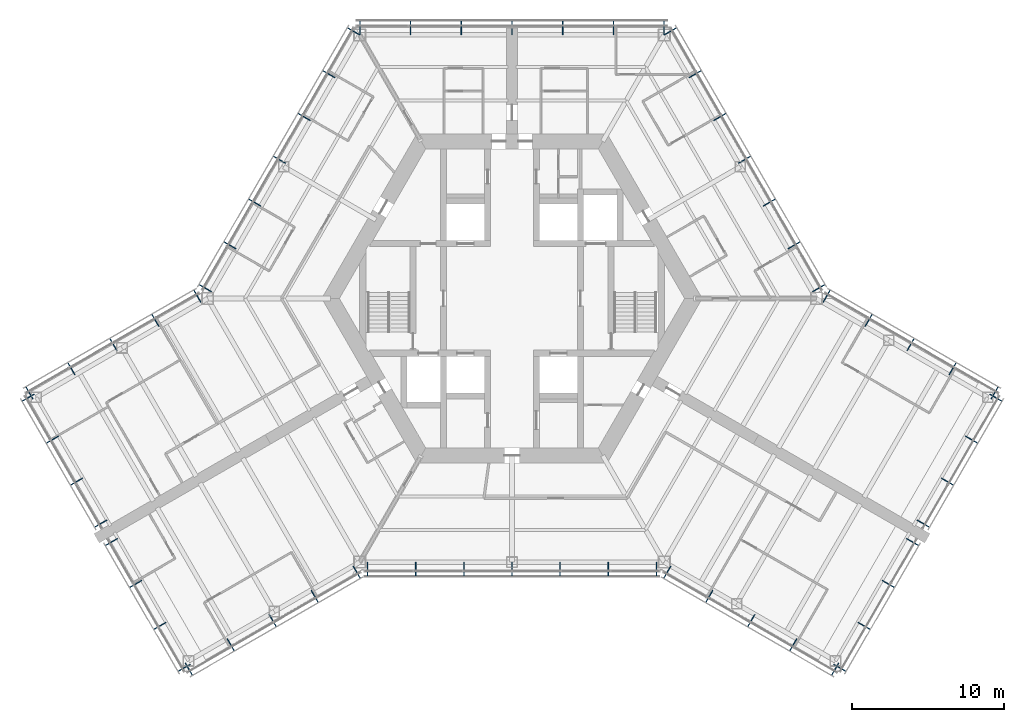
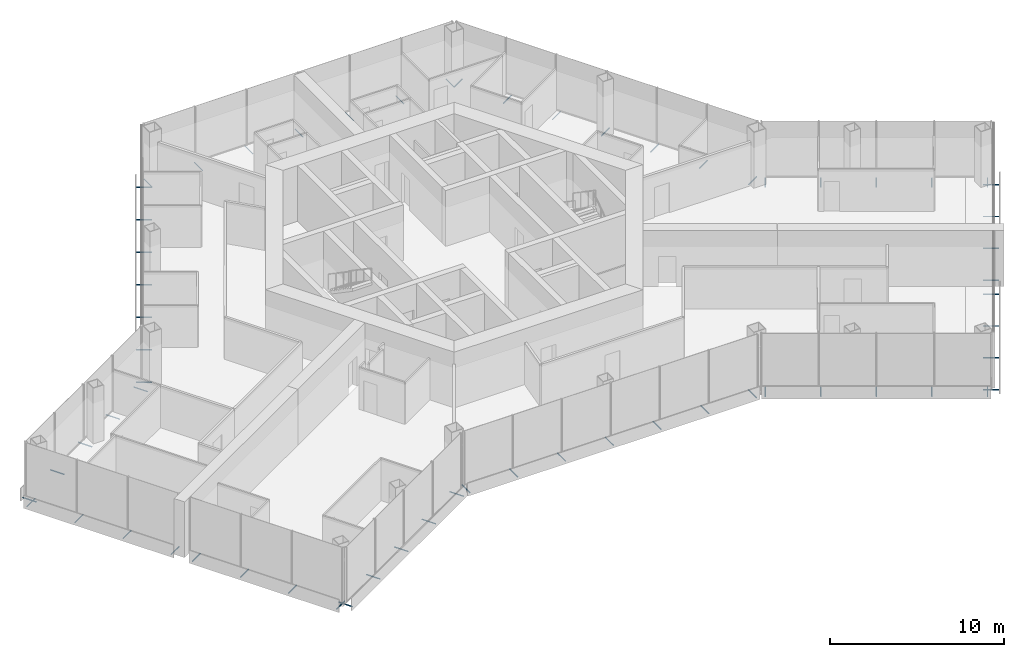
# One storey, part 16 of 18: 64 discrete accessories.
"""IFC4 building model written with IfcOpenShell, lengths in metres."""

from ifc_helpers import new_model, si_unit, direction, frame, origin, origin_2d, place, context, subcontext, project, spatial, hollow_circle, extrude, material, material_profile, profile_set, type_object, element, save


model = new_model("IFC4")

# Units and contexts
model_context = context("Model", 3, precision=1e-05, world=origin(), true_north=direction((0.0, 1.0)))
body_context = subcontext(model_context, "Body", "Model", "MODEL_VIEW")
ifc_project = project(units=[si_unit("LENGTHUNIT", "METRE"), si_unit("AREAUNIT", "SQUARE_METRE"), si_unit("VOLUMEUNIT", "CUBIC_METRE"), si_unit("PLANEANGLEUNIT", "RADIAN"), si_unit("MASSUNIT", "GRAM", prefix="KILO")], contexts=[model_context])

# Site, building, storey
site_placement = place(None, origin())
site = spatial("IfcSite", under=ifc_project, at=site_placement, CompositionType="ELEMENT")
building_placement = place(site_placement, origin())
building = spatial("IfcBuilding", under=site, at=building_placement, Name="Kasaneha Research Tower", CompositionType="ELEMENT")
storey_placement = place(building_placement, frame((0.0, 0.0, 144.800048828125)))
storey = spatial("IfcBuildingStorey", under=building, at=storey_placement, Name="L36", CompositionType="ELEMENT", Elevation=144.800048828125)

# Discrete accessories
ifc_material = material(Name="Steel STK400", Category="steel")
ifc_material_profile = material_profile(ifc_material, hollow_circle(Radius=0.0380859375, WallThickness=0.00390625, at=origin_2d()), Name="CHS-76.3x4.0")
ifc_profile_set = profile_set([ifc_material_profile], Name="Steel STK400")
discrete_accessory_type = type_object("IfcDiscreteAccessoryType", Name="Screen bracket CHS-76.3x4.0", PredefinedType="BRACKET", material=ifc_profile_set)
for number, where, z_axis, x_axis, name in (
    (1, (-9.4892578125, -17.320556640625, -0.300048828125), (0.0, -1.0, 0.0), (1.0, 0.0, 0.0), "Screen bracket 1"),
    (2, (-6.326171875, -17.320556640625, -0.300048828125), (0.0, -1.0, 0.0), (1.0, 0.0, 0.0), "Screen bracket 2"),
    (3, (-3.1630859375, -17.320556640625, -0.300048828125), (0.0, -1.0, 0.0), (1.0, 0.0, 0.0), "Screen bracket 3"),
    (4, (0.0, -17.320556640625, -0.300048828125), (0.0, -1.0, 0.0), (1.0, 0.0, 0.0), "Screen bracket 4"),
    (5, (3.1630859375, -17.320556640625, -0.300048828125), (0.0, -1.0, 0.0), (1.0, 0.0, 0.0), "Screen bracket 5"),
    (6, (6.326171875, -17.320556640625, -0.300048828125), (0.0, -1.0, 0.0), (1.0, 0.0, 0.0), "Screen bracket 6"),
    (7, (9.4892578125, -17.320556640625, -0.300048828125), (0.0, -1.0, 0.0), (1.0, 0.0, 0.0), "Screen bracket 7"),
    (8, (10.4423828125, -17.575927734375, -0.300048828125), (-0.500021113727, -0.866013213425, 0.0), (0.866013213425, -0.500021113727, 0.0), "Screen bracket 1"),
):
    element("IfcDiscreteAccessory", number, at=place(storey_placement, frame(where, z_axis=z_axis, x_axis=x_axis)), inside=storey, type_object=discrete_accessory_type, Name=name, PredefinedType="BRACKET", context=body_context, shape_type="SweptSolid", body=[
        extrude(hollow_circle(Radius=0.0380859375, WallThickness=0.00390625, at=origin_2d()), origin(), (0.0, 0.0, 1.0), 0.919921875),
    ])
discrete_accessory_1_placement = place(storey_placement, frame((13.200439453125, -19.168212890625, -0.300048828125), z_axis=(-0.499906209203, -0.866079547155, 0.0), x_axis=(0.866079547155, -0.499906209203, 0.0)))
element("IfcDiscreteAccessory", 9, at=discrete_accessory_1_placement, inside=storey, type_object=discrete_accessory_type, Name="Screen bracket 2", PredefinedType="BRACKET", context=body_context, shape_type="SweptSolid", body=[
    extrude(hollow_circle(Radius=0.0380859375, WallThickness=0.00390625, at=origin_2d()), origin(), (0.0, 0.0, 1.0), 0.920166015625),
])
discrete_accessory_2_placement = place(storey_placement, frame((15.95849609375, -20.7607421875, -0.300048828125), z_axis=(-0.500021113727, -0.866013213425, 0.0), x_axis=(0.866013213425, -0.500021113727, 0.0)))
element("IfcDiscreteAccessory", 10, at=discrete_accessory_2_placement, inside=storey, type_object=discrete_accessory_type, Name="Screen bracket 3", PredefinedType="BRACKET", context=body_context, shape_type="SweptSolid", body=[
    extrude(hollow_circle(Radius=0.0380859375, WallThickness=0.00390625, at=origin_2d()), origin(), (0.0, 0.0, 1.0), 0.919921875),
])
discrete_accessory_3_placement = place(storey_placement, frame((18.716796875, -22.35302734375, -0.300048828125), z_axis=(-0.500105201737, -0.865964657013, 0.0), x_axis=(0.865964657013, -0.500105201737, 0.0)))
element("IfcDiscreteAccessory", 11, at=discrete_accessory_3_placement, inside=storey, type_object=discrete_accessory_type, Name="Screen bracket 4", PredefinedType="BRACKET", context=body_context, shape_type="SweptSolid", body=[
    extrude(hollow_circle(Radius=0.0380859375, WallThickness=0.00390625, at=origin_2d()), origin(), (0.0, 0.0, 1.0), 0.920166015625),
])
discrete_accessory_4_placement = place(storey_placement, frame((21.474853515625, -23.945556640625, -0.300048828125), z_axis=(-0.500021113727, -0.866013213425, 0.0), x_axis=(0.866013213425, -0.500021113727, 0.0)))
element("IfcDiscreteAccessory", 12, at=discrete_accessory_4_placement, inside=storey, type_object=discrete_accessory_type, Name="Screen bracket 5", PredefinedType="BRACKET", context=body_context, shape_type="SweptSolid", body=[
    extrude(hollow_circle(Radius=0.0380859375, WallThickness=0.00390625, at=origin_2d()), origin(), (0.0, 0.0, 1.0), 0.919921875),
])
discrete_accessory_5_placement = place(storey_placement, frame((21.13330078125, -24.037109375, -0.300048828125), z_axis=(0.866079547155, -0.499906209203, 0.0), x_axis=(0.499906209203, 0.866079547155, 0.0)))
element("IfcDiscreteAccessory", 13, at=discrete_accessory_5_placement, inside=storey, type_object=discrete_accessory_type, Name="Screen bracket 1", PredefinedType="BRACKET", context=body_context, shape_type="SweptSolid", body=[
    extrude(hollow_circle(Radius=0.0380859375, WallThickness=0.00390625, at=origin_2d()), origin(), (0.0, 0.0, 1.0), 0.920166015625),
])
discrete_accessory_6_placement = place(storey_placement, frame((22.72509765625, -21.2802734375, -0.300048828125), z_axis=(0.866013213425, -0.500021113727, 0.0), x_axis=(0.500021113727, 0.866013213425, 0.0)))
element("IfcDiscreteAccessory", 14, at=discrete_accessory_6_placement, inside=storey, type_object=discrete_accessory_type, Name="Screen bracket 2", PredefinedType="BRACKET", context=body_context, shape_type="SweptSolid", body=[
    extrude(hollow_circle(Radius=0.0380859375, WallThickness=0.00390625, at=origin_2d()), origin(), (0.0, 0.0, 1.0), 0.919921875),
])
discrete_accessory_7_placement = place(storey_placement, frame((24.316650390625, -18.5234375, -0.300048828125), z_axis=(0.866079547155, -0.499906209203, 0.0), x_axis=(0.499906209203, 0.866079547155, 0.0)))
element("IfcDiscreteAccessory", 15, at=discrete_accessory_7_placement, inside=storey, type_object=discrete_accessory_type, Name="Screen bracket 3", PredefinedType="BRACKET", context=body_context, shape_type="SweptSolid", body=[
    extrude(hollow_circle(Radius=0.0380859375, WallThickness=0.00390625, at=origin_2d()), origin(), (0.0, 0.0, 1.0), 0.920166015625),
])
for number, where, z_axis, x_axis, name in (
    (16, (25.908447265625, -15.766357421875, -0.300048828125), (0.865898279276, -0.500220121494, 0.0), (0.500220121494, 0.865898279276, 0.0), "Screen bracket 4"),
    (17, (26.6083984375, -14.553955078125, -0.300048828125), (0.866013213425, -0.500021113727, 0.0), (0.500021113727, 0.866013213425, 0.0), "Screen bracket 1"),
):
    element("IfcDiscreteAccessory", number, at=place(storey_placement, frame(where, z_axis=z_axis, x_axis=x_axis)), inside=storey, type_object=discrete_accessory_type, Name=name, PredefinedType="BRACKET", context=body_context, shape_type="SweptSolid", body=[
        extrude(hollow_circle(Radius=0.0380859375, WallThickness=0.00390625, at=origin_2d()), origin(), (0.0, 0.0, 1.0), 0.919921875),
    ])
discrete_accessory_8_placement = place(storey_placement, frame((28.199951171875, -11.797119140625, -0.300048828125), z_axis=(0.866079547155, -0.499906209203, 0.0), x_axis=(0.499906209203, 0.866079547155, 0.0)))
element("IfcDiscreteAccessory", 18, at=discrete_accessory_8_placement, inside=storey, type_object=discrete_accessory_type, Name="Screen bracket 2", PredefinedType="BRACKET", context=body_context, shape_type="SweptSolid", body=[
    extrude(hollow_circle(Radius=0.0380859375, WallThickness=0.00390625, at=origin_2d()), origin(), (0.0, 0.0, 1.0), 0.920166015625),
])
discrete_accessory_9_placement = place(storey_placement, frame((29.791748046875, -9.040283203125, -0.300048828125), z_axis=(0.866013213425, -0.500021113727, 0.0), x_axis=(0.500021113727, 0.866013213425, 0.0)))
element("IfcDiscreteAccessory", 19, at=discrete_accessory_9_placement, inside=storey, type_object=discrete_accessory_type, Name="Screen bracket 3", PredefinedType="BRACKET", context=body_context, shape_type="SweptSolid", body=[
    extrude(hollow_circle(Radius=0.0380859375, WallThickness=0.00390625, at=origin_2d()), origin(), (0.0, 0.0, 1.0), 0.919921875),
])
discrete_accessory_10_placement = place(storey_placement, frame((31.38330078125, -6.283447265625, -0.300048828125), z_axis=(0.866079547155, -0.499906209203, 0.0), x_axis=(0.499906209203, 0.866079547155, 0.0)))
element("IfcDiscreteAccessory", 20, at=discrete_accessory_10_placement, inside=storey, type_object=discrete_accessory_type, Name="Screen bracket 4", PredefinedType="BRACKET", context=body_context, shape_type="SweptSolid", body=[
    extrude(hollow_circle(Radius=0.0380859375, WallThickness=0.00390625, at=origin_2d()), origin(), (0.0, 0.0, 1.0), 0.920166015625),
])
discrete_accessory_11_placement = place(storey_placement, frame((31.474853515625, -6.625, -0.300048828125), z_axis=(0.500021113727, 0.866013213425, 0.0), x_axis=(-0.866013213425, 0.500021113727, 0.0)))
element("IfcDiscreteAccessory", 21, at=discrete_accessory_11_placement, inside=storey, type_object=discrete_accessory_type, Name="Screen bracket 1", PredefinedType="BRACKET", context=body_context, shape_type="SweptSolid", body=[
    extrude(hollow_circle(Radius=0.0380859375, WallThickness=0.00390625, at=origin_2d()), origin(), (0.0, 0.0, 1.0), 0.919921875),
])
discrete_accessory_12_placement = place(storey_placement, frame((28.716796875, -5.03271484375, -0.300048828125), z_axis=(0.499906209203, 0.866079547155, 0.0), x_axis=(-0.866079547155, 0.499906209203, 0.0)))
element("IfcDiscreteAccessory", 22, at=discrete_accessory_12_placement, inside=storey, type_object=discrete_accessory_type, Name="Screen bracket 2", PredefinedType="BRACKET", context=body_context, shape_type="SweptSolid", body=[
    extrude(hollow_circle(Radius=0.0380859375, WallThickness=0.00390625, at=origin_2d()), origin(), (0.0, 0.0, 1.0), 0.920166015625),
])
discrete_accessory_13_placement = place(storey_placement, frame((25.95849609375, -3.440185546875, -0.300048828125), z_axis=(0.500220121494, 0.865898279276, 0.0), x_axis=(-0.865898279276, 0.500220121494, 0.0)))
element("IfcDiscreteAccessory", 23, at=discrete_accessory_13_placement, inside=storey, type_object=discrete_accessory_type, Name="Screen bracket 3", PredefinedType="BRACKET", context=body_context, shape_type="SweptSolid", body=[
    extrude(hollow_circle(Radius=0.0380859375, WallThickness=0.00390625, at=origin_2d()), origin(), (0.0, 0.0, 1.0), 0.919921875),
])
discrete_accessory_14_placement = place(storey_placement, frame((23.200439453125, -1.847900390625, -0.300048828125), z_axis=(0.499906209203, 0.866079547155, 0.0), x_axis=(-0.866079547155, 0.499906209203, 0.0)))
element("IfcDiscreteAccessory", 24, at=discrete_accessory_14_placement, inside=storey, type_object=discrete_accessory_type, Name="Screen bracket 4", PredefinedType="BRACKET", context=body_context, shape_type="SweptSolid", body=[
    extrude(hollow_circle(Radius=0.0380859375, WallThickness=0.00390625, at=origin_2d()), origin(), (0.0, 0.0, 1.0), 0.920166015625),
])
for number, where, z_axis, x_axis, name in (
    (25, (20.4423828125, -0.25537109375, -0.300048828125), (0.500021113727, 0.866013213425, 0.0), (-0.866013213425, 0.500021113727, 0.0), "Screen bracket 5"),
    (26, (19.74462890625, 0.4423828125, -0.300048828125), (0.866013213425, 0.500021113727, 0.0), (-0.500021113727, 0.866013213425, 0.0), "Screen bracket 1"),
    (27, (18.120849609375, 3.2548828125, -0.300048828125), (0.866013213425, 0.500021113727, 0.0), (-0.500021113727, 0.866013213425, 0.0), "Screen bracket 2"),
    (28, (16.4970703125, 6.0673828125, -0.300048828125), (0.866013213425, 0.500021113727, 0.0), (-0.500021113727, 0.866013213425, 0.0), "Screen bracket 3"),
    (29, (14.873291015625, 8.8798828125, -0.300048828125), (0.866013213425, 0.500021113727, 0.0), (-0.500021113727, 0.866013213425, 0.0), "Screen bracket 4"),
    (30, (13.24951171875, 11.6923828125, -0.300048828125), (0.866013213425, 0.500021113727, 0.0), (-0.500021113727, 0.866013213425, 0.0), "Screen bracket 5"),
):
    element("IfcDiscreteAccessory", number, at=place(storey_placement, frame(where, z_axis=z_axis, x_axis=x_axis)), inside=storey, type_object=discrete_accessory_type, Name=name, PredefinedType="BRACKET", context=body_context, shape_type="SweptSolid", body=[
        extrude(hollow_circle(Radius=0.0380859375, WallThickness=0.00390625, at=origin_2d()), origin(), (0.0, 0.0, 1.0), 0.919921875),
    ])
for number, where, z_axis, x_axis, name in (
    (31, (11.62548828125, 14.5048828125, -0.300048828125), (0.866079547155, 0.499906209203, 0.0), (-0.499906209203, 0.866079547155, 0.0), "Screen bracket 6"),
    (32, (10.001708984375, 17.3173828125, -0.300048828125), (0.866079547155, 0.499906209203, 0.0), (-0.499906209203, 0.866079547155, 0.0), "Screen bracket 7"),
):
    element("IfcDiscreteAccessory", number, at=place(storey_placement, frame(where, z_axis=z_axis, x_axis=x_axis)), inside=storey, type_object=discrete_accessory_type, Name=name, PredefinedType="BRACKET", context=body_context, shape_type="SweptSolid", body=[
        extrude(hollow_circle(Radius=0.0380859375, WallThickness=0.00390625, at=origin_2d()), origin(), (0.0, 0.0, 1.0), 0.920166015625),
    ])
for number, where, z_axis, x_axis, name in (
    (33, (9.996337890625, 17.320556640625, -0.300048828125), (0.0, 1.0, 0.0), (-1.0, 0.0, 0.0), "Screen bracket 1"),
    (34, (6.664306640625, 17.320556640625, -0.300048828125), (0.0, 1.0, 0.0), (-1.0, 0.0, 0.0), "Screen bracket 2"),
    (35, (3.33203125, 17.320556640625, -0.300048828125), (0.0, 1.0, 0.0), (-1.0, 0.0, 0.0), "Screen bracket 3"),
    (36, (0.0, 17.320556640625, -0.300048828125), (0.0, 1.0, 0.0), (-1.0, 0.0, 0.0), "Screen bracket 4"),
    (37, (-3.33203125, 17.320556640625, -0.300048828125), (0.0, 1.0, 0.0), (-1.0, 0.0, 0.0), "Screen bracket 5"),
    (38, (-6.664306640625, 17.320556640625, -0.300048828125), (0.0, 1.0, 0.0), (-1.0, 0.0, 0.0), "Screen bracket 6"),
    (39, (-9.996337890625, 17.320556640625, -0.300048828125), (0.0, 1.0, 0.0), (-1.0, 0.0, 0.0), "Screen bracket 7"),
):
    element("IfcDiscreteAccessory", number, at=place(storey_placement, frame(where, z_axis=z_axis, x_axis=x_axis)), inside=storey, type_object=discrete_accessory_type, Name=name, PredefinedType="BRACKET", context=body_context, shape_type="SweptSolid", body=[
        extrude(hollow_circle(Radius=0.0380859375, WallThickness=0.00390625, at=origin_2d()), origin(), (0.0, 0.0, 1.0), 0.919921875),
    ])
for number, where, z_axis, x_axis, name in (
    (40, (-10.001708984375, 17.3173828125, -0.300048828125), (-0.866079547155, 0.499906209203, 0.0), (-0.499906209203, -0.866079547155, 0.0), "Screen bracket 1"),
    (41, (-11.62548828125, 14.5048828125, -0.300048828125), (-0.866079547155, 0.499906209203, 0.0), (-0.499906209203, -0.866079547155, 0.0), "Screen bracket 2"),
):
    element("IfcDiscreteAccessory", number, at=place(storey_placement, frame(where, z_axis=z_axis, x_axis=x_axis)), inside=storey, type_object=discrete_accessory_type, Name=name, PredefinedType="BRACKET", context=body_context, shape_type="SweptSolid", body=[
        extrude(hollow_circle(Radius=0.0380859375, WallThickness=0.00390625, at=origin_2d()), origin(), (0.0, 0.0, 1.0), 0.920166015625),
    ])
for number, where, z_axis, x_axis, name in (
    (42, (-13.24951171875, 11.6923828125, -0.300048828125), (-0.866013213425, 0.500021113727, 0.0), (-0.500021113727, -0.866013213425, 0.0), "Screen bracket 3"),
    (43, (-14.873291015625, 8.8798828125, -0.300048828125), (-0.866013213425, 0.500021113727, 0.0), (-0.500021113727, -0.866013213425, 0.0), "Screen bracket 4"),
    (44, (-16.4970703125, 6.0673828125, -0.300048828125), (-0.866013213425, 0.500021113727, 0.0), (-0.500021113727, -0.866013213425, 0.0), "Screen bracket 5"),
    (45, (-18.120849609375, 3.2548828125, -0.300048828125), (-0.866013213425, 0.500021113727, 0.0), (-0.500021113727, -0.866013213425, 0.0), "Screen bracket 6"),
    (46, (-19.74462890625, 0.4423828125, -0.300048828125), (-0.866013213425, 0.500021113727, 0.0), (-0.500021113727, -0.866013213425, 0.0), "Screen bracket 7"),
    (47, (-20.4423828125, -0.25537109375, -0.300048828125), (-0.500021113727, 0.866013213425, 0.0), (-0.866013213425, -0.500021113727, 0.0), "Screen bracket 1"),
):
    element("IfcDiscreteAccessory", number, at=place(storey_placement, frame(where, z_axis=z_axis, x_axis=x_axis)), inside=storey, type_object=discrete_accessory_type, Name=name, PredefinedType="BRACKET", context=body_context, shape_type="SweptSolid", body=[
        extrude(hollow_circle(Radius=0.0380859375, WallThickness=0.00390625, at=origin_2d()), origin(), (0.0, 0.0, 1.0), 0.919921875),
    ])
discrete_accessory_15_placement = place(storey_placement, frame((-23.200439453125, -1.847900390625, -0.300048828125), z_axis=(-0.499906209203, 0.866079547155, 0.0), x_axis=(-0.866079547155, -0.499906209203, 0.0)))
element("IfcDiscreteAccessory", 48, at=discrete_accessory_15_placement, inside=storey, type_object=discrete_accessory_type, Name="Screen bracket 2", PredefinedType="BRACKET", context=body_context, shape_type="SweptSolid", body=[
    extrude(hollow_circle(Radius=0.0380859375, WallThickness=0.00390625, at=origin_2d()), origin(), (0.0, 0.0, 1.0), 0.920166015625),
])
discrete_accessory_16_placement = place(storey_placement, frame((-25.95849609375, -3.440185546875, -0.300048828125), z_axis=(-0.500220121494, 0.865898279276, 0.0), x_axis=(-0.865898279276, -0.500220121494, 0.0)))
element("IfcDiscreteAccessory", 49, at=discrete_accessory_16_placement, inside=storey, type_object=discrete_accessory_type, Name="Screen bracket 3", PredefinedType="BRACKET", context=body_context, shape_type="SweptSolid", body=[
    extrude(hollow_circle(Radius=0.0380859375, WallThickness=0.00390625, at=origin_2d()), origin(), (0.0, 0.0, 1.0), 0.919921875),
])
discrete_accessory_17_placement = place(storey_placement, frame((-28.716796875, -5.03271484375, -0.300048828125), z_axis=(-0.499906209203, 0.866079547155, 0.0), x_axis=(-0.866079547155, -0.499906209203, 0.0)))
element("IfcDiscreteAccessory", 50, at=discrete_accessory_17_placement, inside=storey, type_object=discrete_accessory_type, Name="Screen bracket 4", PredefinedType="BRACKET", context=body_context, shape_type="SweptSolid", body=[
    extrude(hollow_circle(Radius=0.0380859375, WallThickness=0.00390625, at=origin_2d()), origin(), (0.0, 0.0, 1.0), 0.920166015625),
])
discrete_accessory_18_placement = place(storey_placement, frame((-31.474853515625, -6.625, -0.300048828125), z_axis=(-0.500021113727, 0.866013213425, 0.0), x_axis=(-0.866013213425, -0.500021113727, 0.0)))
element("IfcDiscreteAccessory", 51, at=discrete_accessory_18_placement, inside=storey, type_object=discrete_accessory_type, Name="Screen bracket 5", PredefinedType="BRACKET", context=body_context, shape_type="SweptSolid", body=[
    extrude(hollow_circle(Radius=0.0380859375, WallThickness=0.00390625, at=origin_2d()), origin(), (0.0, 0.0, 1.0), 0.919921875),
])
discrete_accessory_19_placement = place(storey_placement, frame((-31.38330078125, -6.283447265625, -0.300048828125), z_axis=(-0.866079547155, -0.499906209203, 0.0), x_axis=(0.499906209203, -0.866079547155, 0.0)))
element("IfcDiscreteAccessory", 52, at=discrete_accessory_19_placement, inside=storey, type_object=discrete_accessory_type, Name="Screen bracket 1", PredefinedType="BRACKET", context=body_context, shape_type="SweptSolid", body=[
    extrude(hollow_circle(Radius=0.0380859375, WallThickness=0.00390625, at=origin_2d()), origin(), (0.0, 0.0, 1.0), 0.920166015625),
])
discrete_accessory_20_placement = place(storey_placement, frame((-29.791748046875, -9.040283203125, -0.300048828125), z_axis=(-0.866013213425, -0.500021113727, 0.0), x_axis=(0.500021113727, -0.866013213425, 0.0)))
element("IfcDiscreteAccessory", 53, at=discrete_accessory_20_placement, inside=storey, type_object=discrete_accessory_type, Name="Screen bracket 2", PredefinedType="BRACKET", context=body_context, shape_type="SweptSolid", body=[
    extrude(hollow_circle(Radius=0.0380859375, WallThickness=0.00390625, at=origin_2d()), origin(), (0.0, 0.0, 1.0), 0.919921875),
])
discrete_accessory_21_placement = place(storey_placement, frame((-28.199951171875, -11.797119140625, -0.300048828125), z_axis=(-0.866079547155, -0.499906209203, 0.0), x_axis=(0.499906209203, -0.866079547155, 0.0)))
element("IfcDiscreteAccessory", 54, at=discrete_accessory_21_placement, inside=storey, type_object=discrete_accessory_type, Name="Screen bracket 3", PredefinedType="BRACKET", context=body_context, shape_type="SweptSolid", body=[
    extrude(hollow_circle(Radius=0.0380859375, WallThickness=0.00390625, at=origin_2d()), origin(), (0.0, 0.0, 1.0), 0.920166015625),
])
for number, where, z_axis, x_axis, name in (
    (55, (-26.6083984375, -14.553955078125, -0.300048828125), (-0.866013213425, -0.500021113727, 0.0), (0.500021113727, -0.866013213425, 0.0), "Screen bracket 4"),
    (56, (-25.908447265625, -15.766357421875, -0.300048828125), (-0.865898279276, -0.500220121494, 0.0), (0.500220121494, -0.865898279276, 0.0), "Screen bracket 1"),
):
    element("IfcDiscreteAccessory", number, at=place(storey_placement, frame(where, z_axis=z_axis, x_axis=x_axis)), inside=storey, type_object=discrete_accessory_type, Name=name, PredefinedType="BRACKET", context=body_context, shape_type="SweptSolid", body=[
        extrude(hollow_circle(Radius=0.0380859375, WallThickness=0.00390625, at=origin_2d()), origin(), (0.0, 0.0, 1.0), 0.919921875),
    ])
discrete_accessory_22_placement = place(storey_placement, frame((-24.316650390625, -18.5234375, -0.300048828125), z_axis=(-0.866079547155, -0.499906209203, 0.0), x_axis=(0.499906209203, -0.866079547155, 0.0)))
element("IfcDiscreteAccessory", 57, at=discrete_accessory_22_placement, inside=storey, type_object=discrete_accessory_type, Name="Screen bracket 2", PredefinedType="BRACKET", context=body_context, shape_type="SweptSolid", body=[
    extrude(hollow_circle(Radius=0.0380859375, WallThickness=0.00390625, at=origin_2d()), origin(), (0.0, 0.0, 1.0), 0.920166015625),
])
discrete_accessory_23_placement = place(storey_placement, frame((-22.72509765625, -21.2802734375, -0.300048828125), z_axis=(-0.866013213425, -0.500021113727, 0.0), x_axis=(0.500021113727, -0.866013213425, 0.0)))
element("IfcDiscreteAccessory", 58, at=discrete_accessory_23_placement, inside=storey, type_object=discrete_accessory_type, Name="Screen bracket 3", PredefinedType="BRACKET", context=body_context, shape_type="SweptSolid", body=[
    extrude(hollow_circle(Radius=0.0380859375, WallThickness=0.00390625, at=origin_2d()), origin(), (0.0, 0.0, 1.0), 0.919921875),
])
discrete_accessory_24_placement = place(storey_placement, frame((-21.13330078125, -24.037109375, -0.300048828125), z_axis=(-0.866079547155, -0.499906209203, 0.0), x_axis=(0.499906209203, -0.866079547155, 0.0)))
element("IfcDiscreteAccessory", 59, at=discrete_accessory_24_placement, inside=storey, type_object=discrete_accessory_type, Name="Screen bracket 4", PredefinedType="BRACKET", context=body_context, shape_type="SweptSolid", body=[
    extrude(hollow_circle(Radius=0.0380859375, WallThickness=0.00390625, at=origin_2d()), origin(), (0.0, 0.0, 1.0), 0.920166015625),
])
discrete_accessory_25_placement = place(storey_placement, frame((-21.474853515625, -23.945556640625, -0.300048828125), z_axis=(0.500021113727, -0.866013213425, 0.0), x_axis=(0.866013213425, 0.500021113727, 0.0)))
element("IfcDiscreteAccessory", 60, at=discrete_accessory_25_placement, inside=storey, type_object=discrete_accessory_type, Name="Screen bracket 1", PredefinedType="BRACKET", context=body_context, shape_type="SweptSolid", body=[
    extrude(hollow_circle(Radius=0.0380859375, WallThickness=0.00390625, at=origin_2d()), origin(), (0.0, 0.0, 1.0), 0.919921875),
])
discrete_accessory_26_placement = place(storey_placement, frame((-18.716796875, -22.35302734375, -0.300048828125), z_axis=(0.500105201737, -0.865964657013, 0.0), x_axis=(0.865964657013, 0.500105201737, 0.0)))
element("IfcDiscreteAccessory", 61, at=discrete_accessory_26_placement, inside=storey, type_object=discrete_accessory_type, Name="Screen bracket 2", PredefinedType="BRACKET", context=body_context, shape_type="SweptSolid", body=[
    extrude(hollow_circle(Radius=0.0380859375, WallThickness=0.00390625, at=origin_2d()), origin(), (0.0, 0.0, 1.0), 0.920166015625),
])
discrete_accessory_27_placement = place(storey_placement, frame((-15.95849609375, -20.7607421875, -0.300048828125), z_axis=(0.500021113727, -0.866013213425, 0.0), x_axis=(0.866013213425, 0.500021113727, 0.0)))
element("IfcDiscreteAccessory", 62, at=discrete_accessory_27_placement, inside=storey, type_object=discrete_accessory_type, Name="Screen bracket 3", PredefinedType="BRACKET", context=body_context, shape_type="SweptSolid", body=[
    extrude(hollow_circle(Radius=0.0380859375, WallThickness=0.00390625, at=origin_2d()), origin(), (0.0, 0.0, 1.0), 0.919921875),
])
discrete_accessory_28_placement = place(storey_placement, frame((-13.200439453125, -19.168212890625, -0.300048828125), z_axis=(0.499906209203, -0.866079547155, 0.0), x_axis=(0.866079547155, 0.499906209203, 0.0)))
element("IfcDiscreteAccessory", 63, at=discrete_accessory_28_placement, inside=storey, type_object=discrete_accessory_type, Name="Screen bracket 4", PredefinedType="BRACKET", context=body_context, shape_type="SweptSolid", body=[
    extrude(hollow_circle(Radius=0.0380859375, WallThickness=0.00390625, at=origin_2d()), origin(), (0.0, 0.0, 1.0), 0.920166015625),
])
discrete_accessory_29_placement = place(storey_placement, frame((-10.4423828125, -17.575927734375, -0.300048828125), z_axis=(0.500021113727, -0.866013213425, 0.0), x_axis=(0.866013213425, 0.500021113727, 0.0)))
element("IfcDiscreteAccessory", 64, at=discrete_accessory_29_placement, inside=storey, type_object=discrete_accessory_type, Name="Screen bracket 5", PredefinedType="BRACKET", context=body_context, shape_type="SweptSolid", body=[
    extrude(hollow_circle(Radius=0.0380859375, WallThickness=0.00390625, at=origin_2d()), origin(), (0.0, 0.0, 1.0), 0.919921875),
])

save(model, "model.ifc")
